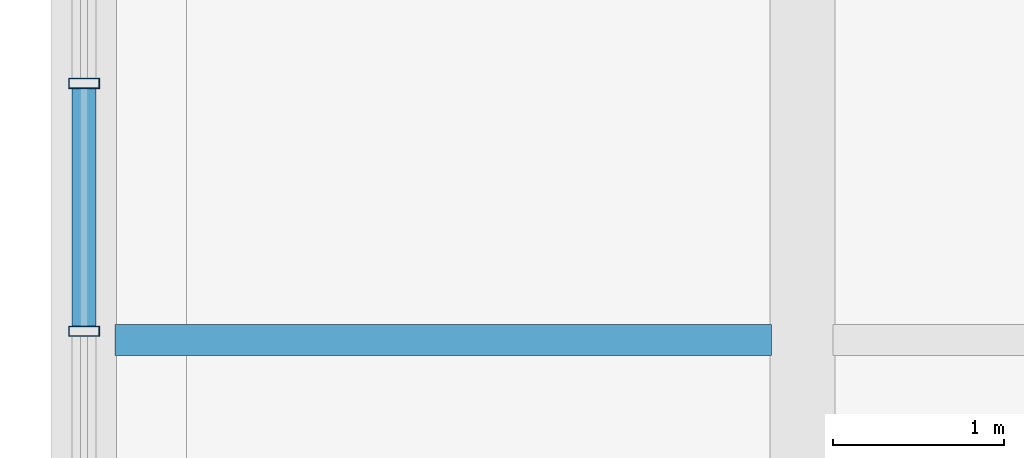
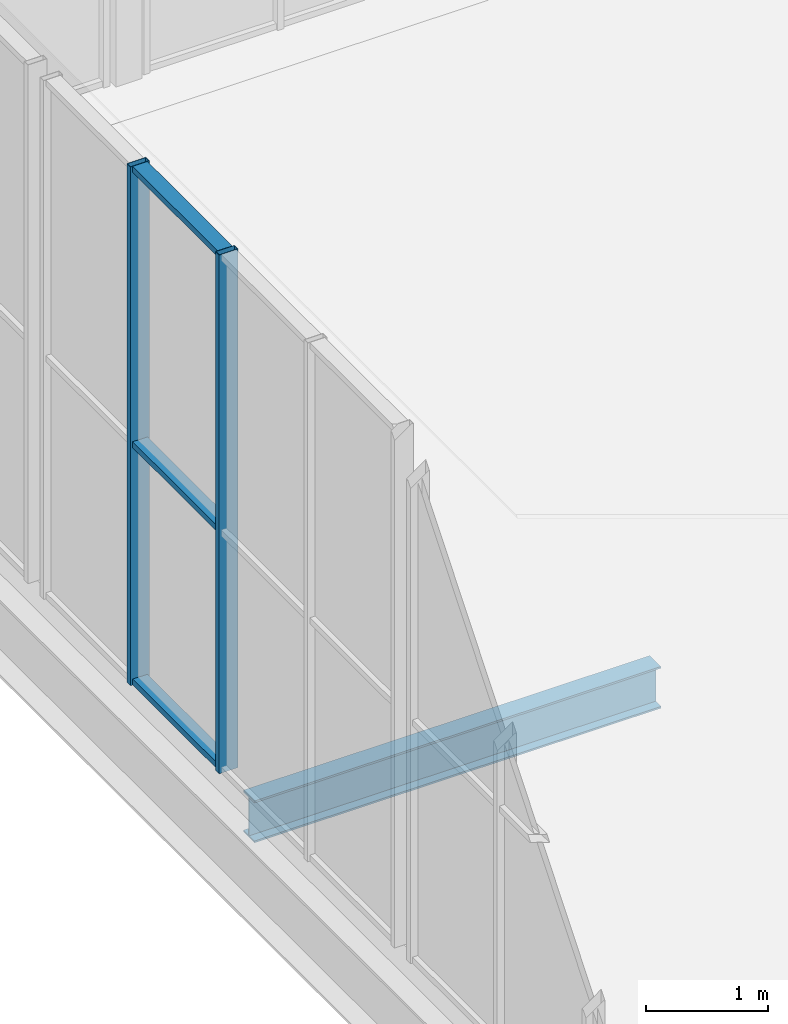
# One storey, part 8 of 58: 5 members, 1 beam, 1 element without a shape of its own.
"""IFC4 building model written with IfcOpenShell, lengths in metres."""

import ifcopenshell
import ifcopenshell.guid

model = None  # the IFC model being written
_history = None  # IfcOwnerHistory: only IFC2X3 demands one
_inside = {}  # id of a spatial element -> (the spatial element, [elements in it])
_under = {}  # id of a project, library or spatial element -> (it, [spatial elements below it])
_declared = {}  # id of a project -> (the project, [libraries it declares])
_typed = {}  # id of a type object -> (the type object, [elements of that type])
_made_of = {}  # id of a material, layer set ... -> (it, [elements and type objects made of it])


def new_model(schema):
    """Start an empty IFC model of exactly this schema.

    Asked for "IFC4X3", IfcOpenShell would pick the latest addendum, in which some entities
    have other attributes; the version numbers below select the first issue.
    IFC2X3 requires an IfcOwnerHistory on every rooted entity: one is made here for all.
    """
    global model, _history
    if schema == "IFC4X3":
        model = ifcopenshell.file(schema_version=(4, 3, 0, 0))
    else:
        model = ifcopenshell.file(schema=schema)
    _inside.clear()
    _under.clear()
    _declared.clear()
    _typed.clear()
    _made_of.clear()
    _history = None
    if model.schema == "IFC2X3":
        org = make("IfcOrganization", Name="unknown")
        user = make(
            "IfcPersonAndOrganization",
            ThePerson=make("IfcPerson", FamilyName="unknown"),
            TheOrganization=org,
        )
        app = make(
            "IfcApplication",
            ApplicationDeveloper=org,
            Version="unknown",
            ApplicationFullName="unknown",
            ApplicationIdentifier="unknown",
        )
        _history = make(
            "IfcOwnerHistory",
            OwningUser=user,
            OwningApplication=app,
            ChangeAction="ADDED",
            CreationDate=0,
        )
    return model


def make(cls, **values):
    """One entity of the class cls with the attributes given. An attribute that is None is left unset."""
    return model.create_entity(
        cls, **{name: value for name, value in values.items() if value is not None}
    )


def rooted(cls, **values):
    """An entity with a GlobalId (a new one), such as an element, a storey or a relation."""
    return make(cls, GlobalId=ifcopenshell.guid.new(), OwnerHistory=_history, **values)


def si_unit(unit_type, name, prefix=None):
    """IfcSIUnit, for example si_unit("LENGTHUNIT", "METRE", prefix="MILLI")."""
    return make("IfcSIUnit", UnitType=unit_type, Prefix=prefix, Name=name)


def assignment(units):
    """IfcUnitAssignment: the units of a project."""
    return None if units is None else make("IfcUnitAssignment", Units=units)


def point(xyz):
    """IfcCartesianPoint."""
    return None if xyz is None else make("IfcCartesianPoint", Coordinates=xyz)


def direction(xyz):
    """IfcDirection."""
    return None if xyz is None else make("IfcDirection", DirectionRatios=xyz)


def frame(location, z_axis=None, x_axis=None):
    """IfcAxis2Placement3D, a coordinate frame: its origin and axes. An axis left out is left unset."""
    return make(
        "IfcAxis2Placement3D",
        Location=point(location),
        Axis=direction(z_axis),
        RefDirection=direction(x_axis),
    )


def frame_2d(location, x_axis=None):
    """IfcAxis2Placement2D, a coordinate frame in the plane: its origin and x axis."""
    return make(
        "IfcAxis2Placement2D", Location=point(location), RefDirection=direction(x_axis)
    )


def origin():
    """The frame at (0, 0, 0) with its axes left unset."""
    return frame((0.0, 0.0, 0.0))


def origin_2d():
    """The frame at (0, 0) in the plane with its x axis left unset."""
    return frame_2d((0.0, 0.0))


def place(relative_to, where):
    """IfcLocalPlacement: puts the frame where relative to a parent placement (None: the world)."""
    return make(
        "IfcLocalPlacement", PlacementRelTo=relative_to, RelativePlacement=where
    )


def context(
    kind, dimensions, precision=None, world=None, true_north=None, identifier=None
):
    """IfcGeometricRepresentationContext, for example the 3D "Model" context."""
    return make(
        "IfcGeometricRepresentationContext",
        ContextIdentifier=identifier,
        ContextType=kind,
        CoordinateSpaceDimension=dimensions,
        Precision=precision,
        WorldCoordinateSystem=world,
        TrueNorth=true_north,
    )


def subcontext(parent, identifier, kind, view, scale=None):
    """IfcGeometricRepresentationSubContext, for example "Body" below "Model"."""
    return make(
        "IfcGeometricRepresentationSubContext",
        ContextIdentifier=identifier,
        ContextType=kind,
        ParentContext=parent,
        TargetScale=scale,
        TargetView=view,
    )


def project(units=None, contexts=None):
    """IfcProject with its units and contexts."""
    return rooted(
        "IfcProject",
        Name="project",
        RepresentationContexts=contexts,
        UnitsInContext=assignment(units),
    )


def spatial(cls, under=None, at=None, **own):
    """A site, building, storey or space (cls), placed at a placement, below another one or the project."""
    s = rooted(cls, ObjectPlacement=at, **own)
    if under is not None:
        _under.setdefault(under.id(), (under, []))[1].append(s)
    return s


def profile(cls, at=None, kind="AREA", **sizes):
    """A parametric profile (cls). Its sizes go by their IFC names, for example OverallWidth=200.0."""
    return make(cls, ProfileType=kind, Position=at, **sizes)


def hollow_rectangle(**sizes):
    """IfcRectangleHollowProfileDef."""
    return profile("IfcRectangleHollowProfileDef", **sizes)


def i_section(**sizes):
    """IfcIShapeProfileDef."""
    return profile("IfcIShapeProfileDef", **sizes)


def extrude(swept, where, along, depth):
    """IfcExtrudedAreaSolid: the profile swept, set in the frame where, extruded along a direction by depth."""
    return make(
        "IfcExtrudedAreaSolid",
        SweptArea=swept,
        Position=where,
        ExtrudedDirection=direction(along),
        Depth=depth,
    )


def shape(context_of_items, identifier, shape_type, items):
    """IfcShapeRepresentation: the items that make up one representation, for example the "Body"."""
    return make(
        "IfcShapeRepresentation",
        ContextOfItems=context_of_items,
        RepresentationIdentifier=identifier,
        RepresentationType=shape_type,
        Items=items,
    )


def material(Name=None, Category=None):
    """IfcMaterial."""
    return make("IfcMaterial", Name=Name, Category=Category)


def material_profile(
    of_material, cross_section, Name=None, Category=None, Priority=None
):
    """IfcMaterialProfile: a cross section and its material."""
    return make(
        "IfcMaterialProfile",
        Name=Name,
        Material=of_material,
        Profile=cross_section,
        Priority=Priority,
        Category=Category,
    )


def profile_set(profiles, Name=None, composite=None):
    """IfcMaterialProfileSet."""
    return make(
        "IfcMaterialProfileSet",
        Name=Name,
        MaterialProfiles=profiles,
        CompositeProfile=composite,
    )


def made_of(thing, what):
    """Note that an element or type object is made of a material, layer set ...; save() writes the relation."""
    if what is not None:
        _made_of.setdefault(what.id(), (what, []))[1].append(thing)
    return thing


def type_object(cls, material=None, **own):
    """A type object (cls), such as IfcWallType, which elements share."""
    return made_of(rooted(cls, **own), material)


def element(
    cls,
    number,
    at=None,
    inside=None,
    cuts=None,
    type_object=None,
    material=None,
    context=None,
    identifier="Body",
    shape_type=None,
    held_by="IfcProductDefinitionShape",
    body=None,
    shapes=None,
    **own,
):
    """One element of the class cls, such as IfcWall. Its Tag is "e" and its number.

    at: its placement. inside: the storey or other place that contains it. cuts: it is an
    opening in that element (IfcRelVoidsElement). A single representation is given by context,
    identifier, shape_type and body (its items); several are given by shapes. held_by: the class
    of the entity that holds the representations. save() writes the other relations.
    """
    e = rooted(cls, Tag="e%d" % number, ObjectPlacement=at, **own)
    if body is not None:
        shapes = [shape(context, identifier, shape_type, body)]
    if shapes is not None:
        e.Representation = make(held_by, Representations=shapes)
    if inside is not None:
        _inside.setdefault(inside.id(), (inside, []))[1].append(e)
    if cuts is not None:
        rooted(
            "IfcRelVoidsElement", RelatingBuildingElement=cuts, RelatedOpeningElement=e
        )
    if type_object is not None:
        _typed.setdefault(type_object.id(), (type_object, []))[1].append(e)
    return made_of(e, material)


def aggregate(whole, parts):
    """IfcRelAggregates: a whole, such as a stair, and the parts it consists of."""
    return rooted("IfcRelAggregates", RelatingObject=whole, RelatedObjects=parts)


def save(model, path):
    """Write the relations noted so far, then the file.

    IfcRelAggregates (storeys below a building ...), IfcRelContainedInSpatialStructure (elements
    in a storey), IfcRelDefinesByType, IfcRelAssociatesMaterial and IfcRelDeclares: one each for
    every whole, place, type object, material and project.
    """
    for whole, parts in _under.values():
        aggregate(whole, parts)
    for where, things in _inside.values():
        rooted(
            "IfcRelContainedInSpatialStructure",
            RelatedElements=things,
            RelatingStructure=where,
        )
    for kind, things in _typed.values():
        rooted("IfcRelDefinesByType", RelatedObjects=things, RelatingType=kind)
    for what, things in _made_of.values():
        rooted("IfcRelAssociatesMaterial", RelatedObjects=things, RelatingMaterial=what)
    for by, libraries in _declared.values():
        rooted("IfcRelDeclares", RelatingContext=by, RelatedDefinitions=libraries)
    model.write(path)


model = new_model("IFC4")

# Units and contexts
model_context = context("Model", 3, precision=1e-05, world=origin(), true_north=direction((0.0, 1.0)))
body_context = subcontext(model_context, "Body", "Model", "MODEL_VIEW")
ifc_project = project(units=[si_unit("LENGTHUNIT", "METRE"), si_unit("AREAUNIT", "SQUARE_METRE"), si_unit("VOLUMEUNIT", "CUBIC_METRE"), si_unit("PLANEANGLEUNIT", "RADIAN"), si_unit("MASSUNIT", "GRAM", prefix="KILO")], contexts=[model_context])

# Site, building, storey
site_placement = place(None, origin())
site = spatial("IfcSite", under=ifc_project, at=site_placement, CompositionType="ELEMENT")
building_placement = place(site_placement, origin())
building = spatial("IfcBuilding", under=site, at=building_placement, Name="Khurvash Pelagic Aquarium", CompositionType="ELEMENT")
storey_placement = place(building_placement, frame((0.0, 0.0, 24.60009765625)))
storey = spatial("IfcBuildingStorey", under=building, at=storey_placement, Name="L05", CompositionType="ELEMENT", Elevation=24.60009765625)

# Curtain wall, members
ifc_material_1 = material(Name="Anodised aluminium and low-E laminated glass", Category="aluminium")
curtain_wall_type = type_object("IfcCurtainWallType", Name="CW-04", PredefinedType="USERDEFINED", material=ifc_material_1)
curtain_wall_placement = place(storey_placement, origin())
curtain_wall = element("IfcCurtainWall", 1, at=curtain_wall_placement, inside=storey, type_object=curtain_wall_type, Name="L05 West Cantilever Overlook Curtain Wall CW-04", ObjectType="UNITISED CURTAIN WALL", PredefinedType="USERDEFINED")
ifc_material_2 = material(Name="Extruded aluminium AW-6063-T6", Category="aluminium")
ifc_material_profile_1 = material_profile(ifc_material_2, hollow_rectangle(XDim=0.06005859375, YDim=0.179931640625, WallThickness=0.00390625, at=origin_2d()), Name="CWM60X180X4")
ifc_profile_set_1 = profile_set([ifc_material_profile_1], Name="Extruded aluminium AW-6063-T6")
member_type_1 = type_object("IfcMemberType", Name="CM-01", PredefinedType="MULLION", material=ifc_profile_set_1)
member_1_placement = place(storey_placement, frame((12.60009765625, 20.75, 0.0), z_axis=(0.0, 0.0, 1.0), x_axis=(0.0, 1.0, 0.0)))
member_1 = element("IfcMember", 2, at=member_1_placement, type_object=member_type_1, Name="CW-04 mullion 3", PredefinedType="MULLION", context=body_context, shape_type="SweptSolid", body=[
    extrude(hollow_rectangle(XDim=0.06005859375, YDim=0.179931640625, WallThickness=0.00390625, at=origin_2d()), origin(), (0.0, 0.0, 1.0), 5.179931640625),
])
member_2_placement = place(storey_placement, frame((12.60009765625, 22.199951171875, 0.0), z_axis=(0.0, 0.0, 1.0), x_axis=(0.0, 1.0, 0.0)))
member_2 = element("IfcMember", 3, at=member_2_placement, type_object=member_type_1, Name="CW-04 mullion 4", PredefinedType="MULLION", context=body_context, shape_type="SweptSolid", body=[
    extrude(hollow_rectangle(XDim=0.06005859375, YDim=0.179931640625, WallThickness=0.00390625, at=origin_2d()), origin(), (0.0, 0.0, 1.0), 5.179931640625),
])
ifc_material_profile_2 = material_profile(ifc_material_2, hollow_rectangle(XDim=0.139892578125, YDim=0.06005859375, WallThickness=0.00390625, at=origin_2d()), Name="CWT140X60X4")
ifc_profile_set_2 = profile_set([ifc_material_profile_2], Name="Extruded aluminium AW-6063-T6")
member_type_2 = type_object("IfcMemberType", Name="CT-01", PredefinedType="USERDEFINED", material=ifc_profile_set_2)
member_3_placement = place(storey_placement, frame((12.60009765625, 20.780029296875, 0.02978515625), z_axis=(0.0, 1.0, 0.0), x_axis=(-1.0, 0.0, 0.0)))
member_3 = element("IfcMember", 4, at=member_3_placement, type_object=member_type_2, Name="CW-04 transom 3.1", ObjectType="TRANSOM", PredefinedType="USERDEFINED", context=body_context, shape_type="SweptSolid", body=[
    extrude(hollow_rectangle(XDim=0.139892578125, YDim=0.06005859375, WallThickness=0.00390625, at=origin_2d()), origin(), (0.0, 0.0, 1.0), 1.389892578125),
])
member_4_placement = place(storey_placement, frame((12.60009765625, 20.780029296875, 2.39990234375), z_axis=(0.0, 1.0, 0.0), x_axis=(-1.0, 0.0, 0.0)))
member_4 = element("IfcMember", 5, at=member_4_placement, type_object=member_type_2, Name="CW-04 transom 3.2", ObjectType="TRANSOM", PredefinedType="USERDEFINED", context=body_context, shape_type="SweptSolid", body=[
    extrude(hollow_rectangle(XDim=0.139892578125, YDim=0.06005859375, WallThickness=0.00390625, at=origin_2d()), origin(), (0.0, 0.0, 1.0), 1.389892578125),
])
member_5_placement = place(storey_placement, frame((12.60009765625, 20.780029296875, 5.14990234375), z_axis=(0.0, 1.0, 0.0), x_axis=(-1.0, 0.0, 0.0)))
member_5 = element("IfcMember", 6, at=member_5_placement, type_object=member_type_2, Name="CW-04 transom 3.3", ObjectType="TRANSOM", PredefinedType="USERDEFINED", context=body_context, shape_type="SweptSolid", body=[
    extrude(hollow_rectangle(XDim=0.139892578125, YDim=0.06005859375, WallThickness=0.00390625, at=origin_2d()), origin(), (0.0, 0.0, 1.0), 1.389892578125),
])
aggregate(curtain_wall, [member_1, member_2, member_3, member_4, member_5])

# Beam
ifc_material_3 = material(Name="Steel ASTM A992 Grade 50", Category="steel")
ifc_material_profile_3 = material_profile(ifc_material_3, i_section(OverallWidth=0.180908203125, OverallDepth=0.4169921875, WebThickness=0.010986328125, FlangeThickness=0.018310546875, at=origin_2d()), Name="W16X57")
ifc_profile_set_3 = profile_set([ifc_material_profile_3], Name="Steel ASTM A992 Grade 50")
beam_type = type_object("IfcBeamType", Name="JS-03", PredefinedType="JOIST", material=ifc_profile_set_3)
beam_placement = place(storey_placement, frame((12.780029296875, 20.699951171875, -0.508544921875), z_axis=(1.0, 0.0, 0.0), x_axis=(0.0, 1.0, 0.0)))
element("IfcBeam", 7, at=beam_placement, inside=storey, type_object=beam_type, Name="L05 Sky-Bar Floor Joist JS-03 P01", PredefinedType="JOIST", context=body_context, shape_type="SweptSolid", body=[
    extrude(i_section(OverallWidth=0.180908203125, OverallDepth=0.4169921875, WebThickness=0.010986328125, FlangeThickness=0.018310546875, at=origin_2d()), origin(), (0.0, 0.0, 1.0), 3.840087890625),
])

save(model, "model.ifc")
